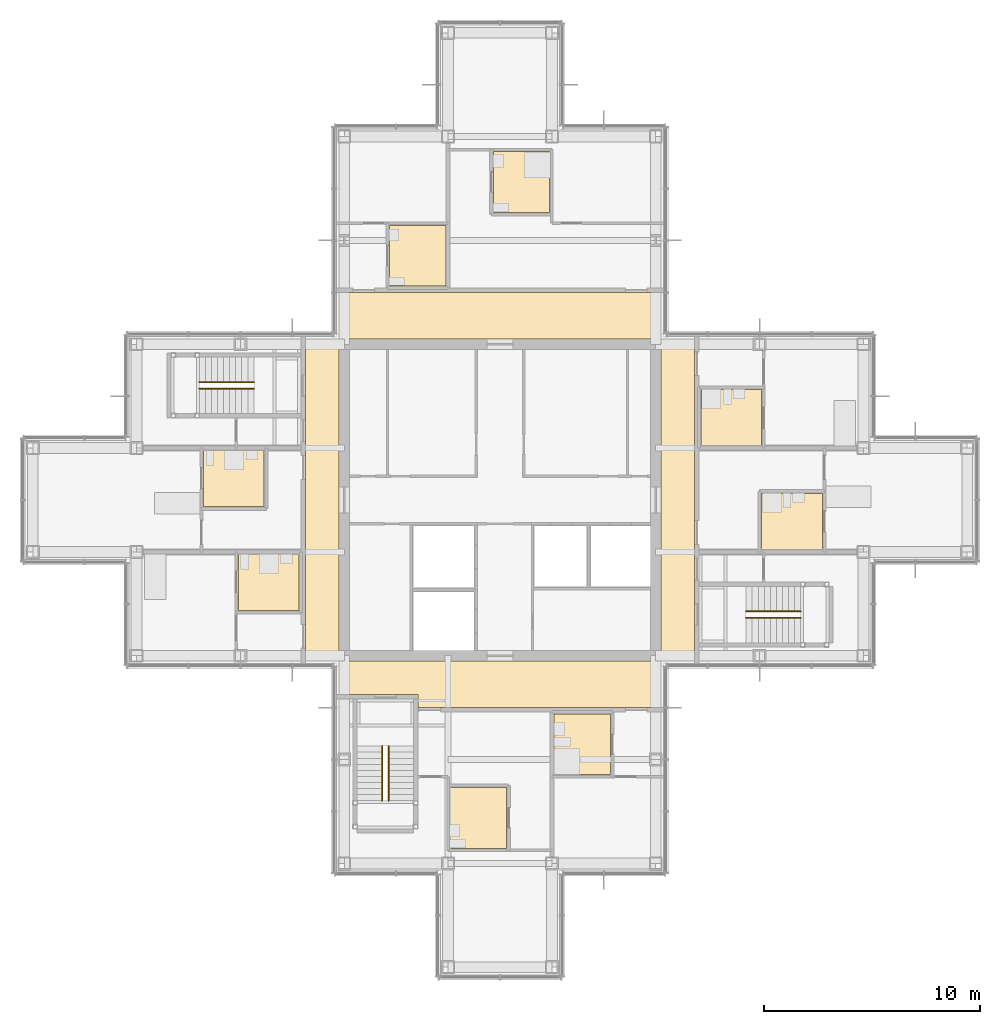
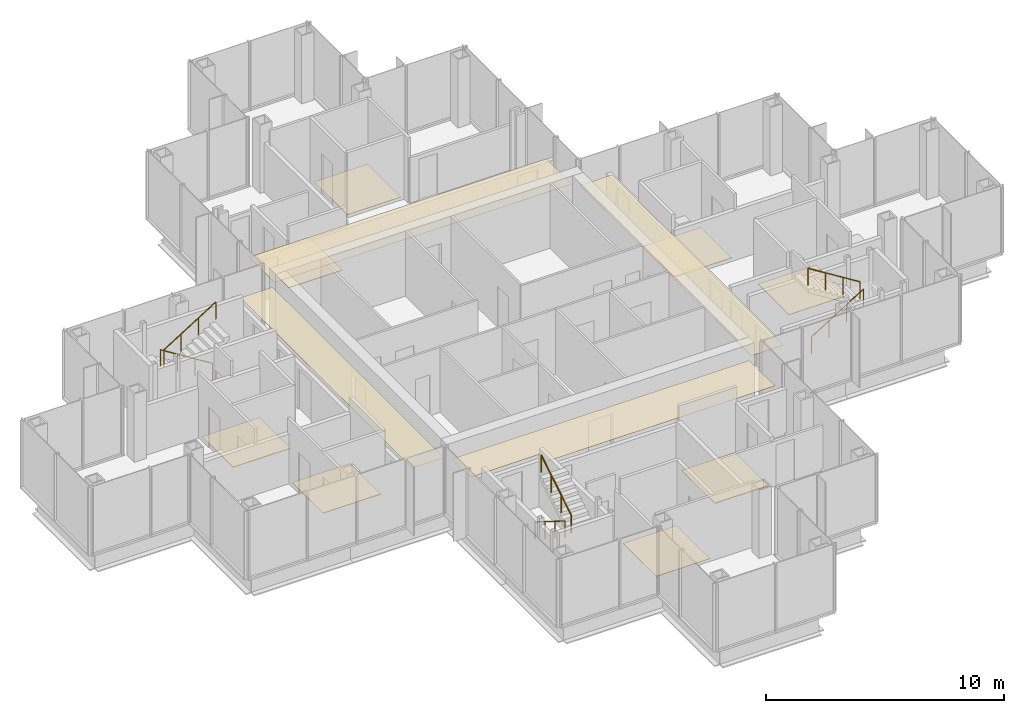
# One storey, part 15 of 17: 12 coverings, 6 railings.
"""IFC4 building model written with IfcOpenShell, lengths in metres."""

from ifc_helpers import new_model, si_unit, direction, frame, origin, origin_2d, place, context, subcontext, project, spatial, polyline, circle, outline, extrude, material, layer, layer_set, type_object, element, save


model = new_model("IFC4")

# Units and contexts
model_context = context("Model", 3, precision=1e-05, world=origin(), true_north=direction((0.0, 1.0)))
body_context = subcontext(model_context, "Body", "Model", "MODEL_VIEW")
ifc_project = project(units=[si_unit("LENGTHUNIT", "METRE"), si_unit("AREAUNIT", "SQUARE_METRE"), si_unit("VOLUMEUNIT", "CUBIC_METRE"), si_unit("PLANEANGLEUNIT", "RADIAN"), si_unit("MASSUNIT", "GRAM", prefix="KILO")], contexts=[model_context])

# Site, building, storey
site_placement = place(None, origin())
site = spatial("IfcSite", under=ifc_project, at=site_placement, CompositionType="ELEMENT")
building_placement = place(site_placement, origin())
building = spatial("IfcBuilding", under=site, at=building_placement, Name="Kvirike Care Tower", CompositionType="ELEMENT")
storey_placement = place(building_placement, frame((0.0, 0.0, 169.0)))
storey = spatial("IfcBuildingStorey", under=building, at=storey_placement, Name="L46", CompositionType="ELEMENT", Elevation=169.0)

# Coverings
ifc_material_1 = material(Name="Perforated metal ceiling tile", Category="aluminium")
ifc_layer_1 = layer(ifc_material_1, 0.014892578125)
ifc_layer_set_1 = layer_set([ifc_layer_1], Name="CORRIDOR CEILING 15")
covering_type_1 = type_object("IfcCoveringType", Name="CORRIDOR CEILING 15", PredefinedType="CEILING", material=ifc_layer_set_1)
covering_1_placement = place(storey_placement, frame((0.0, 0.0, 2.5)))
element("IfcCovering", 1, at=covering_1_placement, inside=storey, type_object=covering_type_1, Name="Corridor ceiling L46", PredefinedType="CEILING", context=body_context, shape_type="SweptSolid", body=[
    extrude(outline(polyline([(12.60009765625, 43.199951171875), (14.14990234375, 43.199951171875), (14.14990234375, 28.800048828125), (12.60009765625, 28.800048828125), (12.60009765625, 43.199951171875)])), origin(), (0.0, 0.0, 1.0), 0.014892578125),
])
covering_2_placement = place(storey_placement, frame((0.0, 0.0, 2.5)))
element("IfcCovering", 2, at=covering_2_placement, inside=storey, type_object=covering_type_1, Name="Corridor ceiling L46", PredefinedType="CEILING", context=body_context, shape_type="SweptSolid", body=[
    extrude(outline(polyline([(14.39990234375, 28.550048828125), (28.800048828125, 28.550048828125), (28.800048828125, 26.39990234375), (17.800048828125, 26.39990234375), (17.800048828125, 27.0), (14.39990234375, 27.0), (14.39990234375, 28.550048828125)])), origin(), (0.0, 0.0, 1.0), 0.014892578125),
])
covering_3_placement = place(storey_placement, frame((0.0, 0.0, 2.5)))
element("IfcCovering", 3, at=covering_3_placement, inside=storey, type_object=covering_type_1, Name="Corridor ceiling L46", PredefinedType="CEILING", context=body_context, shape_type="SweptSolid", body=[
    extrude(outline(polyline([(28.800048828125, 45.60009765625), (28.800048828125, 43.449951171875), (14.39990234375, 43.449951171875), (14.39990234375, 45.60009765625), (28.800048828125, 45.60009765625)])), origin(), (0.0, 0.0, 1.0), 0.014892578125),
])
covering_4_placement = place(storey_placement, frame((0.0, 0.0, 2.5)))
element("IfcCovering", 4, at=covering_4_placement, inside=storey, type_object=covering_type_1, Name="Corridor ceiling L46", PredefinedType="CEILING", context=body_context, shape_type="SweptSolid", body=[
    extrude(outline(polyline([(30.60009765625, 28.800048828125), (29.050048828125, 28.800048828125), (29.050048828125, 43.199951171875), (30.60009765625, 43.199951171875), (30.60009765625, 28.800048828125)])), origin(), (0.0, 0.0, 1.0), 0.014892578125),
])

# Railings
ifc_material_2 = material(Name="Stainless steel handrail", Category="steel")
railing_type = type_object("IfcRailingType", Name="STAIR HANDRAIL 900", PredefinedType="HANDRAIL", material=ifc_material_2)
railing_1_placement = place(storey_placement, frame((10.219970703125, 41.449951171875, 0.175048828125)))
element("IfcRailing", 5, at=railing_1_placement, inside=storey, type_object=railing_type, Name="Stair 1 handrail L46 flight 1", PredefinedType="HANDRAIL", context=body_context, shape_type="SweptSolid", body=[
    extrude(circle(Radius=0.02490234375, at=origin_2d()), frame((0.0, 0.0, 0.875), z_axis=(-0.848007534815, 0.0, 0.529984170421), x_axis=(0.0, -1.0, 0.0)), (0.0, 0.0, 1.0), 2.9716796875),
    extrude(circle(Radius=0.02001953125, at=origin_2d()), origin(), (0.0, 0.0, 1.0), 0.849853515625),
    extrude(circle(Radius=0.02001953125, at=origin_2d()), frame((-0.840087890625, 0.0, 0.52490234375)), (0.0, 0.0, 1.0), 0.849853515625),
    extrude(circle(Radius=0.02001953125, at=origin_2d()), frame((-1.679931640625, 0.0, 1.050048828125)), (0.0, 0.0, 1.0), 0.849853515625),
    extrude(circle(Radius=0.02001953125, at=origin_2d()), frame((-2.52001953125, 0.0, 1.574951171875)), (0.0, 0.0, 1.0), 0.849853515625),
])
for number, where, name in (
    (6, (7.699951171875, 41.14990234375, 1.925048828125), "Stair 1 handrail L46 flight 2"),
    (7, (32.97998046875, 30.550048828125, 0.175048828125), "Stair 2 handrail L46 flight 1"),
):
    element("IfcRailing", number, at=place(storey_placement, frame(where)), inside=storey, type_object=railing_type, Name=name, PredefinedType="HANDRAIL", context=body_context, shape_type="SweptSolid", body=[
        extrude(circle(Radius=0.02490234375, at=origin_2d()), frame((0.0, 0.0, 0.875), z_axis=(0.848007534815, 0.0, 0.529984170421), x_axis=(0.0, 1.0, 0.0)), (0.0, 0.0, 1.0), 2.9716796875),
        extrude(circle(Radius=0.02001953125, at=origin_2d()), origin(), (0.0, 0.0, 1.0), 0.849853515625),
        extrude(circle(Radius=0.02001953125, at=origin_2d()), frame((0.840087890625, 0.0, 0.52490234375)), (0.0, 0.0, 1.0), 0.849853515625),
        extrude(circle(Radius=0.02001953125, at=origin_2d()), frame((1.679931640625, 0.0, 1.050048828125)), (0.0, 0.0, 1.0), 0.849853515625),
        extrude(circle(Radius=0.02001953125, at=origin_2d()), frame((2.52001953125, 0.0, 1.574951171875)), (0.0, 0.0, 1.0), 0.849853515625),
    ])
railing_2_placement = place(storey_placement, frame((35.5, 30.85009765625, 1.925048828125)))
element("IfcRailing", 8, at=railing_2_placement, inside=storey, type_object=railing_type, Name="Stair 2 handrail L46 flight 2", PredefinedType="HANDRAIL", context=body_context, shape_type="SweptSolid", body=[
    extrude(circle(Radius=0.02490234375, at=origin_2d()), frame((0.0, 0.0, 0.875), z_axis=(-0.848007534815, 0.0, 0.529984170421), x_axis=(0.0, -1.0, 0.0)), (0.0, 0.0, 1.0), 2.9716796875),
    extrude(circle(Radius=0.02001953125, at=origin_2d()), origin(), (0.0, 0.0, 1.0), 0.849853515625),
    extrude(circle(Radius=0.02001953125, at=origin_2d()), frame((-0.840087890625, 0.0, 0.52490234375)), (0.0, 0.0, 1.0), 0.849853515625),
    extrude(circle(Radius=0.02001953125, at=origin_2d()), frame((-1.679931640625, 0.0, 1.050048828125)), (0.0, 0.0, 1.0), 0.849853515625),
    extrude(circle(Radius=0.02001953125, at=origin_2d()), frame((-2.52001953125, 0.0, 1.574951171875)), (0.0, 0.0, 1.0), 0.849853515625),
])
railing_3_placement = place(storey_placement, frame((16.14990234375, 24.6201171875, 0.175048828125)))
element("IfcRailing", 9, at=railing_3_placement, inside=storey, type_object=railing_type, Name="Stair 5 handrail L46 flight 1", PredefinedType="HANDRAIL", context=body_context, shape_type="SweptSolid", body=[
    extrude(circle(Radius=0.02490234375, at=origin_2d()), frame((0.0, 0.0, 0.875), z_axis=(0.0, -0.848007534815, 0.529984170421), x_axis=(1.0, 0.0, 0.0)), (0.0, 0.0, 1.0), 2.9716796875),
    extrude(circle(Radius=0.02001953125, at=origin_2d()), origin(), (0.0, 0.0, 1.0), 0.849853515625),
    extrude(circle(Radius=0.02001953125, at=origin_2d()), frame((0.0, -0.840087890625, 0.52490234375)), (0.0, 0.0, 1.0), 0.849853515625),
    extrude(circle(Radius=0.02001953125, at=origin_2d()), frame((0.0, -1.679931640625, 1.050048828125)), (0.0, 0.0, 1.0), 0.849853515625),
    extrude(circle(Radius=0.02001953125, at=origin_2d()), frame((0.0, -2.52001953125, 1.574951171875)), (0.0, 0.0, 1.0), 0.849853515625),
])
railing_4_placement = place(storey_placement, frame((16.449951171875, 22.10009765625, 1.925048828125)))
element("IfcRailing", 10, at=railing_4_placement, inside=storey, type_object=railing_type, Name="Stair 5 handrail L46 flight 2", PredefinedType="HANDRAIL", context=body_context, shape_type="SweptSolid", body=[
    extrude(circle(Radius=0.02490234375, at=origin_2d()), frame((0.0, 0.0, 0.875), z_axis=(0.0, 0.848007534815, 0.529984170421), x_axis=(-1.0, 0.0, 0.0)), (0.0, 0.0, 1.0), 2.9716796875),
    extrude(circle(Radius=0.02001953125, at=origin_2d()), origin(), (0.0, 0.0, 1.0), 0.849853515625),
    extrude(circle(Radius=0.02001953125, at=origin_2d()), frame((0.0, 0.840087890625, 0.52490234375)), (0.0, 0.0, 1.0), 0.849853515625),
    extrude(circle(Radius=0.02001953125, at=origin_2d()), frame((0.0, 1.679931640625, 1.050048828125)), (0.0, 0.0, 1.0), 0.849853515625),
    extrude(circle(Radius=0.02001953125, at=origin_2d()), frame((0.0, 2.52001953125, 1.574951171875)), (0.0, 0.0, 1.0), 0.849853515625),
])

# Coverings
ifc_material_3 = material(Name="Slip-resistant vinyl safety flooring on screed")
ifc_layer_2 = layer(ifc_material_3, 0.02001953125)
ifc_layer_set_2 = layer_set([ifc_layer_2], Name="WET ROOM FLOOR 20")
covering_type_2 = type_object("IfcCoveringType", Name="WET ROOM FLOOR 20", PredefinedType="FLOORING", material=ifc_layer_set_2)
covering_5_placement = place(storey_placement, origin())
element("IfcCovering", 11, at=covering_5_placement, inside=storey, type_object=covering_type_2, Name="En-suite floor L46-006", PredefinedType="FLOORING", context=body_context, shape_type="SweptSolid", body=[
    extrude(outline(polyline([(7.89990234375, 38.300048828125), (10.699951171875, 38.300048828125), (10.699951171875, 35.699951171875), (7.89990234375, 35.699951171875), (7.89990234375, 38.300048828125)])), origin(), (0.0, 0.0, 1.0), 0.02001953125),
])
covering_6_placement = place(storey_placement, origin())
element("IfcCovering", 12, at=covering_6_placement, inside=storey, type_object=covering_type_2, Name="En-suite floor L46-009", PredefinedType="FLOORING", context=body_context, shape_type="SweptSolid", body=[
    extrude(outline(polyline([(9.5, 33.5), (12.300048828125, 33.5), (12.300048828125, 30.89990234375), (9.5, 30.89990234375), (9.5, 33.5)])), origin(), (0.0, 0.0, 1.0), 0.02001953125),
])
covering_7_placement = place(storey_placement, origin())
element("IfcCovering", 13, at=covering_7_placement, inside=storey, type_object=covering_type_2, Name="Accessible WC floor L46-014", PredefinedType="FLOORING", context=body_context, shape_type="SweptSolid", body=[
    extrude(outline(polyline([(19.300048828125, 19.89990234375), (19.300048828125, 22.699951171875), (21.89990234375, 22.699951171875), (21.89990234375, 19.89990234375), (19.300048828125, 19.89990234375)])), origin(), (0.0, 0.0, 1.0), 0.02001953125),
])
covering_8_placement = place(storey_placement, origin())
element("IfcCovering", 14, at=covering_8_placement, inside=storey, type_object=covering_type_2, Name="Assisted bathroom floor L46-017", PredefinedType="FLOORING", context=body_context, shape_type="SweptSolid", body=[
    extrude(outline(polyline([(24.10009765625, 23.300048828125), (24.10009765625, 26.10009765625), (26.699951171875, 26.10009765625), (26.699951171875, 23.300048828125), (24.10009765625, 23.300048828125)])), origin(), (0.0, 0.0, 1.0), 0.02001953125),
])
covering_9_placement = place(storey_placement, origin())
element("IfcCovering", 15, at=covering_9_placement, inside=storey, type_object=covering_type_2, Name="Assisted bathroom floor L46-021", PredefinedType="FLOORING", context=body_context, shape_type="SweptSolid", body=[
    extrude(outline(polyline([(23.89990234375, 52.10009765625), (23.89990234375, 49.300048828125), (21.300048828125, 49.300048828125), (21.300048828125, 52.10009765625), (23.89990234375, 52.10009765625)])), origin(), (0.0, 0.0, 1.0), 0.02001953125),
])
covering_10_placement = place(storey_placement, origin())
element("IfcCovering", 16, at=covering_10_placement, inside=storey, type_object=covering_type_2, Name="Staff WC floor L46-024", PredefinedType="FLOORING", context=body_context, shape_type="SweptSolid", body=[
    extrude(outline(polyline([(19.10009765625, 48.699951171875), (19.10009765625, 45.89990234375), (16.5, 45.89990234375), (16.5, 48.699951171875), (19.10009765625, 48.699951171875)])), origin(), (0.0, 0.0, 1.0), 0.02001953125),
])
covering_11_placement = place(storey_placement, origin())
element("IfcCovering", 17, at=covering_11_placement, inside=storey, type_object=covering_type_2, Name="En-suite floor L46-031", PredefinedType="FLOORING", context=body_context, shape_type="SweptSolid", body=[
    extrude(outline(polyline([(36.5, 33.699951171875), (33.699951171875, 33.699951171875), (33.699951171875, 36.300048828125), (36.5, 36.300048828125), (36.5, 33.699951171875)])), origin(), (0.0, 0.0, 1.0), 0.02001953125),
])
covering_12_placement = place(storey_placement, origin())
element("IfcCovering", 18, at=covering_12_placement, inside=storey, type_object=covering_type_2, Name="En-suite floor L46-034", PredefinedType="FLOORING", context=body_context, shape_type="SweptSolid", body=[
    extrude(outline(polyline([(33.699951171875, 38.5), (30.89990234375, 38.5), (30.89990234375, 41.10009765625), (33.699951171875, 41.10009765625), (33.699951171875, 38.5)])), origin(), (0.0, 0.0, 1.0), 0.02001953125),
])

save(model, "model.ifc")
